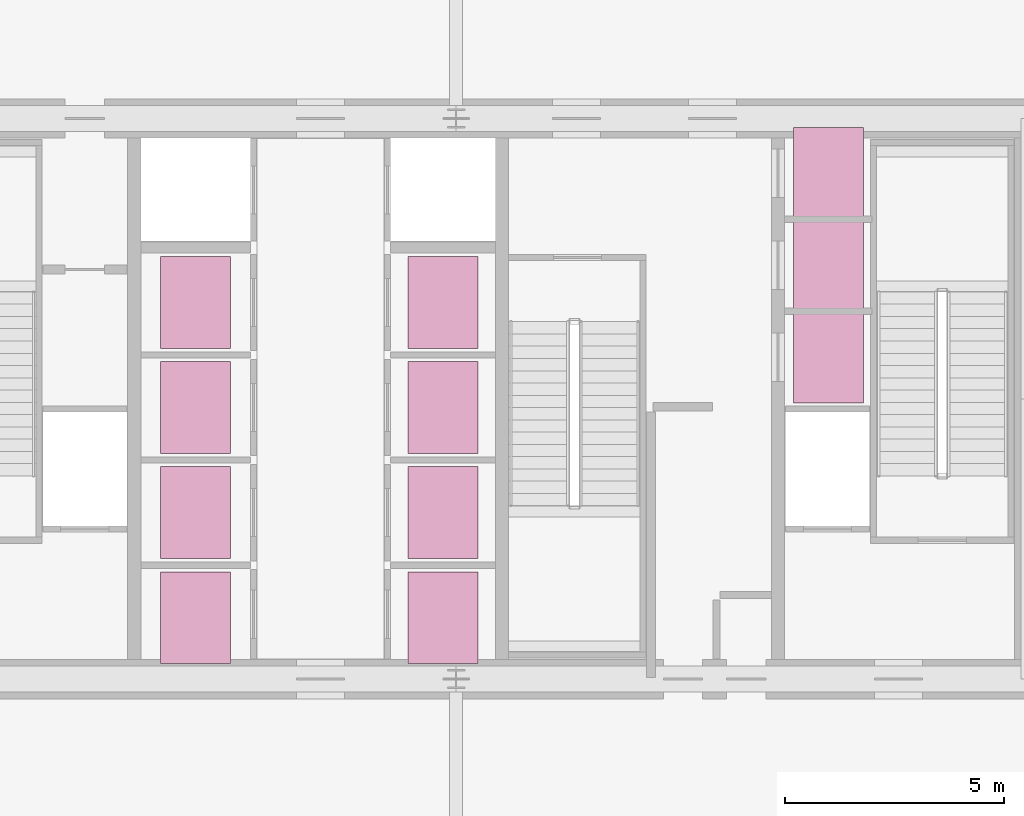
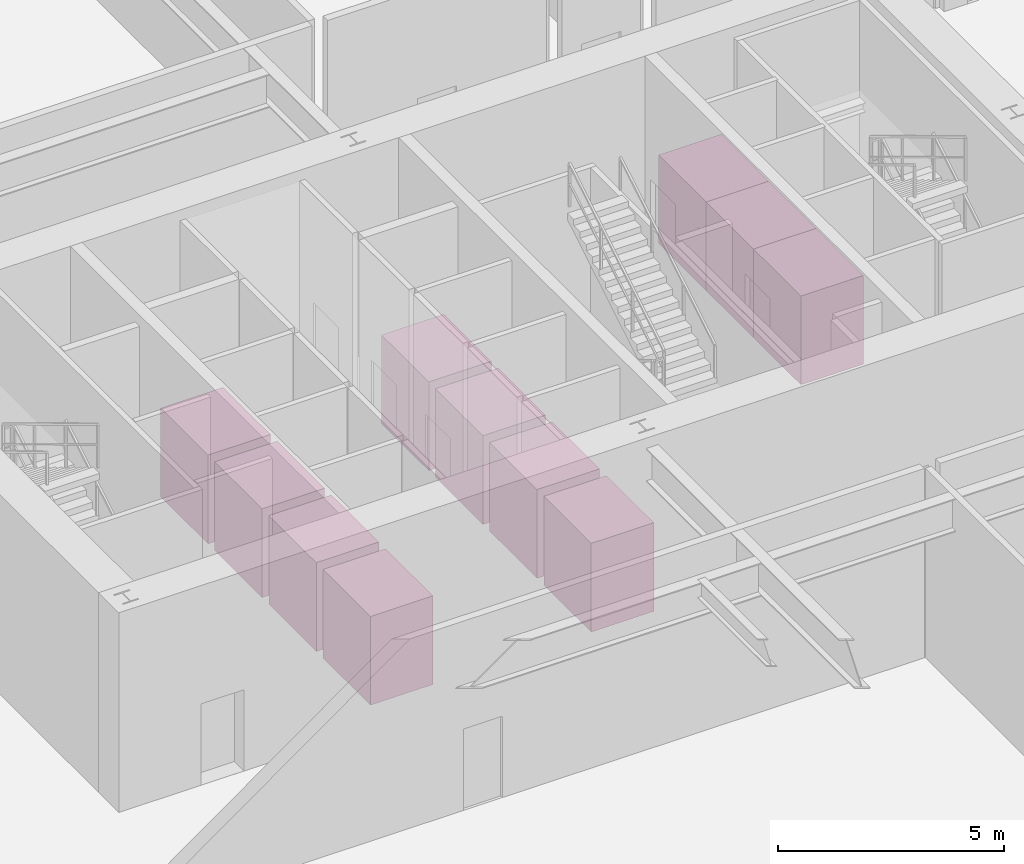
# One storey, part 32 of 32: 11 transport elements.
"""IFC4 building model written with IfcOpenShell, lengths in metres."""

from ifc_helpers import new_model, si_unit, direction, frame, origin, origin_2d, place, context, subcontext, project, spatial, rectangle, extrude, source, transform, mapped, material, type_object, element, save


model = new_model("IFC4")

# Units and contexts
model_context = context("Model", 3, precision=1e-05, world=origin(), true_north=direction((0.0, 1.0)))
body_context = subcontext(model_context, "Body", "Model", "MODEL_VIEW")
ifc_project = project(units=[si_unit("LENGTHUNIT", "METRE"), si_unit("AREAUNIT", "SQUARE_METRE"), si_unit("VOLUMEUNIT", "CUBIC_METRE"), si_unit("PLANEANGLEUNIT", "RADIAN"), si_unit("MASSUNIT", "GRAM", prefix="KILO"), si_unit("THERMODYNAMICTEMPERATUREUNIT", "KELVIN"), si_unit("POWERUNIT", "WATT")], contexts=[model_context])

# Site, building, storey
site_placement = place(None, origin())
site = spatial("IfcSite", under=ifc_project, at=site_placement, CompositionType="ELEMENT")
building_placement = place(site_placement, origin())
building = spatial("IfcBuilding", under=site, at=building_placement, Name="Yuzanri Waterfront Tower", CompositionType="ELEMENT")
storey_placement = place(building_placement, origin())
storey = spatial("IfcBuildingStorey", under=building, at=storey_placement, Name="L01", CompositionType="ELEMENT", Elevation=0.0)

# Transport elements
ifc_material = material(Name="Brushed Bronze and Stainless Steel Cab", Category="steel")
transport_element_type = type_object("IfcTransportElementType", Name="Destination-Control Passenger Lift 1600kg", PredefinedType="ELEVATOR", material=ifc_material)
shared_shape = source(origin(), body_context, "Body", "SweptSolid", [
    extrude(rectangle(XDim=1.60009765625, YDim=2.10009765625, at=origin_2d()), origin(), (0.0, 0.0, 1.0), 2.39990234375),
])
for number, where, z_axis, x_axis, name in (
    (1, (31.050048828125, 20.800048828125, 0.0), (0.0, 0.0, 1.0), (1.0, 0.0, 0.0), "Elevator PL-01"),
    (2, (31.050048828125, 23.199951171875, 0.0), (0.0, 0.0, 1.0), (1.0, 0.0, 0.0), "Elevator PL-02"),
    (3, (31.050048828125, 25.60009765625, 0.0), (0.0, 0.0, 1.0), (1.0, 0.0, 0.0), "Elevator PL-03"),
    (4, (31.050048828125, 28.0, 0.0), (0.0, 0.0, 1.0), (1.0, 0.0, 0.0), "Elevator PL-04"),
    (5, (36.699951171875, 20.800048828125, 0.0), (0.0, 0.0, 1.0), (1.0, 0.0, 0.0), "Elevator PL-05"),
    (6, (36.699951171875, 23.199951171875, 0.0), (0.0, 0.0, 1.0), (1.0, 0.0, 0.0), "Elevator PL-06"),
    (7, (36.699951171875, 25.60009765625, 0.0), (0.0, 0.0, 1.0), (1.0, 0.0, 0.0), "Elevator PL-07"),
    (8, (36.699951171875, 28.0, 0.0), (0.0, 0.0, 1.0), (1.0, 0.0, 0.0), "Elevator PL-08"),
    (9, (45.5, 26.75, 0.0), (0.0, 0.0, 1.0), (1.0, 0.0, 0.0), "Elevator PL-09"),
    (10, (45.5, 28.85009765625, 0.0), (0.0, 0.0, 1.0), (1.0, 0.0, 0.0), "Elevator PL-10"),
    (11, (45.5, 30.949951171875, 0.0), (0.0, 0.0, 1.0), (1.0, 0.0, 0.0), "Elevator PL-11"),
):
    element("IfcTransportElement", number, at=place(storey_placement, frame(where, z_axis=z_axis, x_axis=x_axis)), inside=storey, type_object=transport_element_type, Name=name, PredefinedType="ELEVATOR", context=body_context, shape_type="MappedRepresentation", body=[
        mapped(shared_shape, transform((0.0, 0.0, 0.0), scale=1.0)),
    ])

save(model, "model.ifc")
